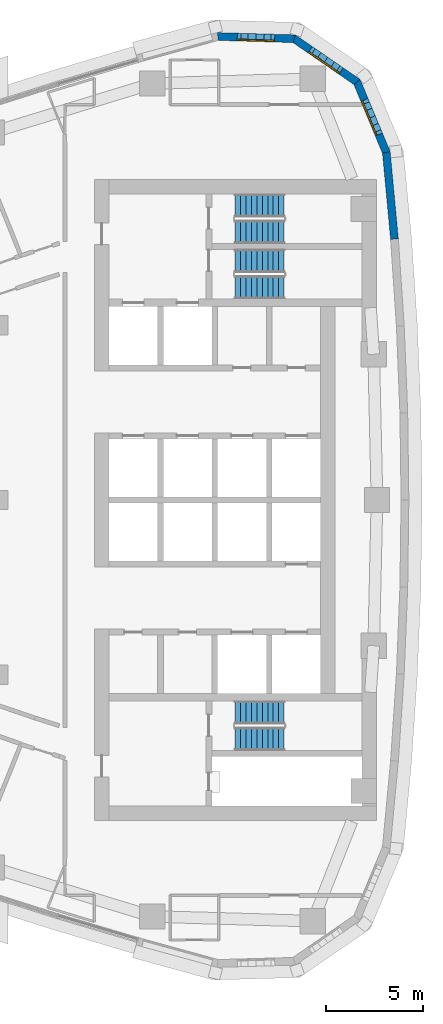
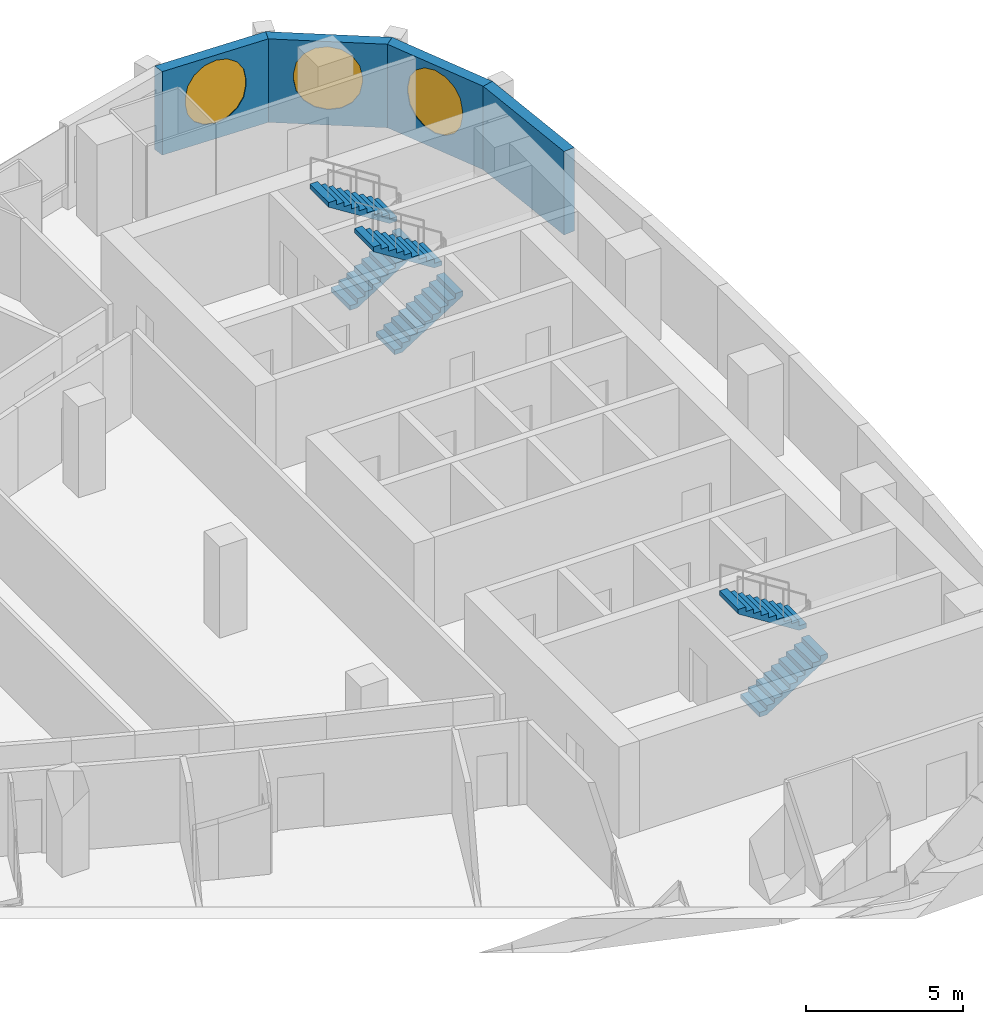
# One storey, part 13 of 17: 6 stair flights, 4 walls, 3 windows, 3 openings, 3 elements without a shape of their own.
"""IFC4 building model written with IfcOpenShell, lengths in metres."""

from ifc_helpers import new_model, si_unit, direction, frame, origin, place, context, subcontext, project, spatial, polyline, outline, extrude, material, layer, layer_set, type_object, element, fill, aggregate, save


model = new_model("IFC4")

# Units and contexts
model_context = context("Model", 3, precision=1e-05, world=origin(), true_north=direction((0.0, 1.0)))
body_context = subcontext(model_context, "Body", "Model", "MODEL_VIEW")
ifc_project = project(units=[si_unit("LENGTHUNIT", "METRE"), si_unit("AREAUNIT", "SQUARE_METRE"), si_unit("VOLUMEUNIT", "CUBIC_METRE"), si_unit("PLANEANGLEUNIT", "RADIAN"), si_unit("MASSUNIT", "GRAM", prefix="KILO")], contexts=[model_context])

# Site, building, storey
site_placement = place(None, origin())
site = spatial("IfcSite", under=ifc_project, at=site_placement, CompositionType="ELEMENT")
building_placement = place(site_placement, origin())
building = spatial("IfcBuilding", under=site, at=building_placement, Name="Ostrand Prow Hotel Tower", CompositionType="ELEMENT")
storey_placement = place(building_placement, frame((0.0, 0.0, 193.25)))
storey = spatial("IfcBuildingStorey", under=building, at=storey_placement, Name="L48", CompositionType="ELEMENT", Elevation=193.25)

# Wall
ifc_material_1 = material(Name="Precast concrete C40/50", Category="concrete")
ifc_layer = layer(ifc_material_1, 0.39990234375)
ifc_layer_set = layer_set([ifc_layer], Name="Precast concrete C40/50")
wall_type = type_object("IfcWallType", Name="Stone-faced precast wall 400 mm", PredefinedType="NOTDEFINED", material=ifc_layer_set)
wall_1_placement = place(storey_placement, frame((65.400634765625, 13.4287109375, 0.0), z_axis=(0.0, 0.0, 1.0), x_axis=(-0.093605694738, 0.995609348044, 0.0)))
element("IfcWall", 1, at=wall_1_placement, inside=storey, type_object=wall_type, Name="Stone-faced wall back 12", PredefinedType="NOTDEFINED", context=body_context, shape_type="SweptSolid", body=[
    extrude(outline(polyline([(-0.002685546875, -0.199951171875), (4.51123046875, -0.199951171875), (4.45068359375, 0.199951171875), (0.002685546875, 0.199951171875), (-0.002685546875, -0.199951171875)])), origin(), (0.0, 0.0, 1.0), 3.25),
])

# Wall, opening, window
wall_2_placement = place(storey_placement, frame((64.981201171875, 17.889892578125, 0.0), z_axis=(0.0, 0.0, 1.0), x_axis=(-0.383997619794, 0.923334082547, 0.0)))
wall_2 = element("IfcWall", 2, at=wall_2_placement, inside=storey, type_object=wall_type, Name="Stone-faced wall back 13", PredefinedType="NOTDEFINED", context=body_context, shape_type="SweptSolid", body=[
    extrude(outline(polyline([(-0.0302734375, -0.199951171875), (3.98828125, -0.199951171875), (3.8701171875, 0.199951171875), (0.0302734375, 0.199951171875), (-0.0302734375, -0.199951171875)])), origin(), (0.0, 0.0, 1.0), 3.25),
])
opening_1_placement = place(wall_2_placement, frame((0.864501953125, 0.0, 0.60009765625)))
opening_1 = element("IfcOpeningElement", 3, at=opening_1_placement, cuts=wall_2, Name="Opening WP1", PredefinedType="OPENING", context=body_context, shape_type="SweptSolid", body=[
    extrude(outline(polyline([(0.0, 1.35009765625), (0.083740234375, 1.77099609375), (0.322265625, 2.127685546875), (0.678955078125, 2.3662109375), (1.10009765625, 2.449951171875), (1.52099609375, 2.3662109375), (1.877685546875, 2.127685546875), (2.1162109375, 1.77099609375), (2.199951171875, 1.35009765625), (2.199951171875, 1.10009765625), (2.1162109375, 0.678955078125), (1.877685546875, 0.322265625), (1.52099609375, 0.083740234375), (1.10009765625, 0.0), (0.678955078125, 0.083740234375), (0.322265625, 0.322265625), (0.083740234375, 0.678955078125), (0.0, 1.099853515625), (0.0, 1.35009765625)])), frame((0.0, 0.2099609375, 0.0), z_axis=(0.0, -1.0, 0.0), x_axis=(1.0, 0.0, 0.0)), (0.0, 0.0, 1.0), 0.419921875),
])
ifc_material_2 = material(Name="Insulated glass in bronze frame", Category="glass")
window_type = type_object("IfcWindowType", Name="Round-ended prow window 2200x2450", PartitioningType="SINGLE_PANEL", PredefinedType="WINDOW", material=ifc_material_2)
window_1_placement = place(opening_1_placement, origin())
window_1 = element("IfcWindow", 4, at=window_1_placement, inside=storey, type_object=window_type, Name="Window back 13.1", OverallHeight=2.449951171875, OverallWidth=2.199951171875, PartitioningType="SINGLE_PANEL", PredefinedType="WINDOW", context=body_context, shape_type="SweptSolid", body=[
    extrude(outline(polyline([(0.0, 1.35009765625), (0.083740234375, 1.77099609375), (0.322265625, 2.127685546875), (0.678955078125, 2.3662109375), (1.10009765625, 2.449951171875), (1.52099609375, 2.3662109375), (1.877685546875, 2.127685546875), (2.1162109375, 1.77099609375), (2.199951171875, 1.35009765625), (2.199951171875, 1.10009765625), (2.1162109375, 0.678955078125), (1.877685546875, 0.322265625), (1.52099609375, 0.083740234375), (1.10009765625, 0.0), (0.678955078125, 0.083740234375), (0.322265625, 0.322265625), (0.083740234375, 0.678955078125), (0.0, 1.099853515625), (0.0, 1.35009765625)])), frame((0.0, 0.169921875, 0.0), z_axis=(0.0, -1.0, 0.0), x_axis=(1.0, 0.0, 0.0)), (0.0, 0.0, 1.0), 0.06005859375),
])
fill(opening_1, window_1)

wall_3_placement = place(storey_placement, frame((63.472412109375, 21.517822265625, 0.0), z_axis=(0.0, 0.0, 1.0), x_axis=(-0.823806162588, 0.566871596115, 0.0)))
wall_3 = element("IfcWall", 5, at=wall_3_placement, inside=storey, type_object=wall_type, Name="Stone-faced wall back 14", PredefinedType="NOTDEFINED", context=body_context, shape_type="SweptSolid", body=[
    extrude(outline(polyline([(-0.05908203125, -0.199951171875), (3.98828125, -0.199951171875), (3.8701171875, 0.199951171875), (0.05908203125, 0.199951171875), (-0.05908203125, -0.199951171875)])), origin(), (0.0, 0.0, 1.0), 3.25),
])
opening_2_placement = place(wall_3_placement, frame((0.864501953125, 0.0, 0.60009765625)))
opening_2 = element("IfcOpeningElement", 6, at=opening_2_placement, cuts=wall_3, Name="Opening WP1", PredefinedType="OPENING", context=body_context, shape_type="SweptSolid", body=[
    extrude(outline(polyline([(0.0, 1.35009765625), (0.083740234375, 1.77099609375), (0.322265625, 2.127685546875), (0.678955078125, 2.3662109375), (1.10009765625, 2.449951171875), (1.52099609375, 2.3662109375), (1.877685546875, 2.127685546875), (2.1162109375, 1.77099609375), (2.199951171875, 1.35009765625), (2.199951171875, 1.10009765625), (2.1162109375, 0.678955078125), (1.877685546875, 0.322265625), (1.52099609375, 0.083740234375), (1.10009765625, 0.0), (0.678955078125, 0.083740234375), (0.322265625, 0.322265625), (0.083740234375, 0.678955078125), (0.0, 1.099853515625), (0.0, 1.35009765625)])), frame((0.0, 0.2099609375, 0.0), z_axis=(0.0, -1.0, 0.0), x_axis=(1.0, 0.0, 0.0)), (0.0, 0.0, 1.0), 0.419921875),
])
window_2_placement = place(opening_2_placement, origin())
window_2 = element("IfcWindow", 7, at=window_2_placement, inside=storey, type_object=window_type, Name="Window back 14.1", OverallHeight=2.449951171875, OverallWidth=2.199951171875, PartitioningType="SINGLE_PANEL", PredefinedType="WINDOW", context=body_context, shape_type="SweptSolid", body=[
    extrude(outline(polyline([(0.0, 1.35009765625), (0.083740234375, 1.77099609375), (0.322265625, 2.127685546875), (0.678955078125, 2.3662109375), (1.10009765625, 2.449951171875), (1.52099609375, 2.3662109375), (1.877685546875, 2.127685546875), (2.1162109375, 1.77099609375), (2.199951171875, 1.35009765625), (2.199951171875, 1.10009765625), (2.1162109375, 0.678955078125), (1.877685546875, 0.322265625), (1.52099609375, 0.083740234375), (1.10009765625, 0.0), (0.678955078125, 0.083740234375), (0.322265625, 0.322265625), (0.083740234375, 0.678955078125), (0.0, 1.099853515625), (0.0, 1.35009765625)])), frame((0.0, 0.169921875, 0.0), z_axis=(0.0, -1.0, 0.0), x_axis=(1.0, 0.0, 0.0)), (0.0, 0.0, 1.0), 0.06005859375),
])
fill(opening_2, window_2)

wall_4_placement = place(storey_placement, frame((60.235595703125, 23.7451171875, 0.0), z_axis=(0.0, 0.0, 1.0), x_axis=(-0.999587920197, 0.028705222472, 0.0)))
wall_4 = element("IfcWall", 8, at=wall_4_placement, inside=storey, type_object=wall_type, Name="Stone-faced wall back 15", PredefinedType="NOTDEFINED", context=body_context, shape_type="SweptSolid", body=[
    extrude(outline(polyline([(-0.05908203125, -0.199951171875), (3.959228515625, -0.199951171875), (3.899658203125, 0.199951171875), (0.05908203125, 0.199951171875), (-0.05908203125, -0.199951171875)])), origin(), (0.0, 0.0, 1.0), 3.25),
])
opening_3_placement = place(wall_4_placement, frame((0.864501953125, 0.0, 0.60009765625)))
opening_3 = element("IfcOpeningElement", 9, at=opening_3_placement, cuts=wall_4, Name="Opening WP1", PredefinedType="OPENING", context=body_context, shape_type="SweptSolid", body=[
    extrude(outline(polyline([(0.0, 1.35009765625), (0.083740234375, 1.77099609375), (0.322265625, 2.127685546875), (0.678955078125, 2.3662109375), (1.10009765625, 2.449951171875), (1.52099609375, 2.3662109375), (1.877685546875, 2.127685546875), (2.1162109375, 1.77099609375), (2.199951171875, 1.35009765625), (2.199951171875, 1.10009765625), (2.1162109375, 0.678955078125), (1.877685546875, 0.322265625), (1.52099609375, 0.083740234375), (1.10009765625, 0.0), (0.678955078125, 0.083740234375), (0.322265625, 0.322265625), (0.083740234375, 0.678955078125), (0.0, 1.099853515625), (0.0, 1.35009765625)])), frame((0.0, 0.2099609375, 0.0), z_axis=(0.0, -1.0, 0.0), x_axis=(1.0, 0.0, 0.0)), (0.0, 0.0, 1.0), 0.419921875),
])
window_3_placement = place(opening_3_placement, origin())
window_3 = element("IfcWindow", 10, at=window_3_placement, inside=storey, type_object=window_type, Name="Window back 15.1", OverallHeight=2.449951171875, OverallWidth=2.199951171875, PartitioningType="SINGLE_PANEL", PredefinedType="WINDOW", context=body_context, shape_type="SweptSolid", body=[
    extrude(outline(polyline([(0.0, 1.35009765625), (0.083740234375, 1.77099609375), (0.322265625, 2.127685546875), (0.678955078125, 2.3662109375), (1.10009765625, 2.449951171875), (1.52099609375, 2.3662109375), (1.877685546875, 2.127685546875), (2.1162109375, 1.77099609375), (2.199951171875, 1.35009765625), (2.199951171875, 1.10009765625), (2.1162109375, 0.678955078125), (1.877685546875, 0.322265625), (1.52099609375, 0.083740234375), (1.10009765625, 0.0), (0.678955078125, 0.083740234375), (0.322265625, 0.322265625), (0.083740234375, 0.678955078125), (0.0, 1.099853515625), (0.0, 1.35009765625)])), frame((0.0, 0.169921875, 0.0), z_axis=(0.0, -1.0, 0.0), x_axis=(1.0, 0.0, 0.0)), (0.0, 0.0, 1.0), 0.06005859375),
])
fill(opening_3, window_3)

# Stair, stair flights
ifc_material_3 = material(Name="Concrete C40/50", Category="concrete")
stair_type = type_object("IfcStairType", Name="Exit stair 1200 upper zone", PredefinedType="HALF_TURN_STAIR", material=ifc_material_3)
stair_1_placement = place(storey_placement, origin())
stair_1 = element("IfcStair", 11, at=stair_1_placement, inside=storey, type_object=stair_type, Name="L48 ST1C", PredefinedType="HALF_TURN_STAIR")
ifc_material_4 = material(Name="Concrete C40/50", Category="concrete")
stair_flight_type = type_object("IfcStairFlightType", Name="Stair flight 1200 concrete", PredefinedType="STRAIGHT", material=ifc_material_4)
stair_flight_1_placement = place(storey_placement, frame((57.199951171875, 10.949951171875, 0.0), z_axis=(0.0, 0.0, 1.0), x_axis=(1.0, 0.0, 0.0)))
stair_flight_1 = element("IfcStairFlight", 12, at=stair_flight_1_placement, type_object=stair_flight_type, Name="ST1C flight 1", NumberOfRisers=10, NumberOfTreads=9, PredefinedType="STRAIGHT", RiserHeight=0.1775, TreadLength=0.28, context=body_context, shape_type="SweptSolid", body=[
    extrude(outline(polyline([(0.0, 0.0), (0.0, 0.177490234375), (0.280029296875, 0.177490234375), (0.280029296875, 0.35498046875), (0.56005859375, 0.35498046875), (0.56005859375, 0.532470703125), (0.840087890625, 0.532470703125), (0.840087890625, 0.7099609375), (1.1201171875, 0.7099609375), (1.1201171875, 0.887451171875), (1.39990234375, 0.887451171875), (1.39990234375, 1.06494140625), (1.679931640625, 1.06494140625), (1.679931640625, 1.242431640625), (1.9599609375, 1.242431640625), (1.9599609375, 1.419921875), (2.239990234375, 1.419921875), (2.239990234375, 1.597412109375), (2.52001953125, 1.597412109375), (2.52001953125, 1.77490234375), (2.52001953125, 1.419921875), (0.280029296875, 0.0), (0.0, 0.0)])), frame((0.0, 0.60009765625, 0.0), z_axis=(0.0, -1.0, 0.0), x_axis=(1.0, 0.0, 0.0)), (0.0, 0.0, 1.0), 1.199951171875),
])
stair_flight_2_placement = place(storey_placement, frame((59.719970703125, 12.300048828125, 1.77490234375), z_axis=(0.0, 0.0, 1.0), x_axis=(-1.0, 0.0, 0.0)))
stair_flight_2 = element("IfcStairFlight", 13, at=stair_flight_2_placement, type_object=stair_flight_type, Name="ST1C flight 2", NumberOfRisers=10, NumberOfTreads=9, PredefinedType="STRAIGHT", RiserHeight=0.1775, TreadLength=0.28, context=body_context, shape_type="SweptSolid", body=[
    extrude(outline(polyline([(0.0, 0.0), (0.0, 0.177490234375), (0.280029296875, 0.177490234375), (0.280029296875, 0.35498046875), (0.56005859375, 0.35498046875), (0.56005859375, 0.532470703125), (0.840087890625, 0.532470703125), (0.840087890625, 0.7099609375), (1.1201171875, 0.7099609375), (1.1201171875, 0.887451171875), (1.39990234375, 0.887451171875), (1.39990234375, 1.06494140625), (1.679931640625, 1.06494140625), (1.679931640625, 1.242431640625), (1.9599609375, 1.242431640625), (1.9599609375, 1.419921875), (2.239990234375, 1.419921875), (2.239990234375, 1.597412109375), (2.52001953125, 1.597412109375), (2.52001953125, 1.77490234375), (2.52001953125, 1.419921875), (0.280029296875, 0.0), (0.0, 0.0)])), frame((0.0, 0.60009765625, 0.0), z_axis=(0.0, -1.0, 0.0), x_axis=(1.0, 0.0, 0.0)), (0.0, 0.0, 1.0), 1.199951171875),
])
aggregate(stair_1, [stair_flight_1, stair_flight_2])

stair_2_placement = place(storey_placement, origin())
stair_2 = element("IfcStair", 14, at=stair_2_placement, inside=storey, type_object=stair_type, Name="L48 ST3C", PredefinedType="HALF_TURN_STAIR")
stair_flight_3_placement = place(storey_placement, frame((57.199951171875, 13.800048828125, 0.0), z_axis=(0.0, 0.0, 1.0), x_axis=(1.0, 0.0, 0.0)))
stair_flight_3 = element("IfcStairFlight", 15, at=stair_flight_3_placement, type_object=stair_flight_type, Name="ST3C flight 1", NumberOfRisers=10, NumberOfTreads=9, PredefinedType="STRAIGHT", RiserHeight=0.1775, TreadLength=0.28, context=body_context, shape_type="SweptSolid", body=[
    extrude(outline(polyline([(0.0, 0.0), (0.0, 0.177490234375), (0.280029296875, 0.177490234375), (0.280029296875, 0.35498046875), (0.56005859375, 0.35498046875), (0.56005859375, 0.532470703125), (0.840087890625, 0.532470703125), (0.840087890625, 0.7099609375), (1.1201171875, 0.7099609375), (1.1201171875, 0.887451171875), (1.39990234375, 0.887451171875), (1.39990234375, 1.06494140625), (1.679931640625, 1.06494140625), (1.679931640625, 1.242431640625), (1.9599609375, 1.242431640625), (1.9599609375, 1.419921875), (2.239990234375, 1.419921875), (2.239990234375, 1.597412109375), (2.52001953125, 1.597412109375), (2.52001953125, 1.77490234375), (2.52001953125, 1.419921875), (0.280029296875, 0.0), (0.0, 0.0)])), frame((0.0, 0.60009765625, 0.0), z_axis=(0.0, -1.0, 0.0), x_axis=(1.0, 0.0, 0.0)), (0.0, 0.0, 1.0), 1.199951171875),
])
stair_flight_4_placement = place(storey_placement, frame((59.719970703125, 15.14990234375, 1.77490234375), z_axis=(0.0, 0.0, 1.0), x_axis=(-1.0, 0.0, 0.0)))
stair_flight_4 = element("IfcStairFlight", 16, at=stair_flight_4_placement, type_object=stair_flight_type, Name="ST3C flight 2", NumberOfRisers=10, NumberOfTreads=9, PredefinedType="STRAIGHT", RiserHeight=0.1775, TreadLength=0.28, context=body_context, shape_type="SweptSolid", body=[
    extrude(outline(polyline([(0.0, 0.0), (0.0, 0.177490234375), (0.280029296875, 0.177490234375), (0.280029296875, 0.35498046875), (0.56005859375, 0.35498046875), (0.56005859375, 0.532470703125), (0.840087890625, 0.532470703125), (0.840087890625, 0.7099609375), (1.1201171875, 0.7099609375), (1.1201171875, 0.887451171875), (1.39990234375, 0.887451171875), (1.39990234375, 1.06494140625), (1.679931640625, 1.06494140625), (1.679931640625, 1.242431640625), (1.9599609375, 1.242431640625), (1.9599609375, 1.419921875), (2.239990234375, 1.419921875), (2.239990234375, 1.597412109375), (2.52001953125, 1.597412109375), (2.52001953125, 1.77490234375), (2.52001953125, 1.419921875), (0.280029296875, 0.0), (0.0, 0.0)])), frame((0.0, 0.60009765625, 0.0), z_axis=(0.0, -1.0, 0.0), x_axis=(1.0, 0.0, 0.0)), (0.0, 0.0, 1.0), 1.199951171875),
])
aggregate(stair_2, [stair_flight_3, stair_flight_4])

stair_3_placement = place(storey_placement, origin())
stair_3 = element("IfcStair", 17, at=stair_3_placement, inside=storey, type_object=stair_type, Name="L48 ST2C", PredefinedType="HALF_TURN_STAIR")
stair_flight_5_placement = place(storey_placement, frame((57.199951171875, -12.300048828125, 0.0), z_axis=(0.0, 0.0, 1.0), x_axis=(1.0, 0.0, 0.0)))
stair_flight_5 = element("IfcStairFlight", 18, at=stair_flight_5_placement, type_object=stair_flight_type, Name="ST2C flight 1", NumberOfRisers=10, NumberOfTreads=9, PredefinedType="STRAIGHT", RiserHeight=0.1775, TreadLength=0.28, context=body_context, shape_type="SweptSolid", body=[
    extrude(outline(polyline([(0.0, 0.0), (0.0, 0.177490234375), (0.280029296875, 0.177490234375), (0.280029296875, 0.35498046875), (0.56005859375, 0.35498046875), (0.56005859375, 0.532470703125), (0.840087890625, 0.532470703125), (0.840087890625, 0.7099609375), (1.1201171875, 0.7099609375), (1.1201171875, 0.887451171875), (1.39990234375, 0.887451171875), (1.39990234375, 1.06494140625), (1.679931640625, 1.06494140625), (1.679931640625, 1.242431640625), (1.9599609375, 1.242431640625), (1.9599609375, 1.419921875), (2.239990234375, 1.419921875), (2.239990234375, 1.597412109375), (2.52001953125, 1.597412109375), (2.52001953125, 1.77490234375), (2.52001953125, 1.419921875), (0.280029296875, 0.0), (0.0, 0.0)])), frame((0.0, 0.60009765625, 0.0), z_axis=(0.0, -1.0, 0.0), x_axis=(1.0, 0.0, 0.0)), (0.0, 0.0, 1.0), 1.199951171875),
])
stair_flight_6_placement = place(storey_placement, frame((59.719970703125, -10.949951171875, 1.77490234375), z_axis=(0.0, 0.0, 1.0), x_axis=(-1.0, 0.0, 0.0)))
stair_flight_6 = element("IfcStairFlight", 19, at=stair_flight_6_placement, type_object=stair_flight_type, Name="ST2C flight 2", NumberOfRisers=10, NumberOfTreads=9, PredefinedType="STRAIGHT", RiserHeight=0.1775, TreadLength=0.28, context=body_context, shape_type="SweptSolid", body=[
    extrude(outline(polyline([(0.0, 0.0), (0.0, 0.177490234375), (0.280029296875, 0.177490234375), (0.280029296875, 0.35498046875), (0.56005859375, 0.35498046875), (0.56005859375, 0.532470703125), (0.840087890625, 0.532470703125), (0.840087890625, 0.7099609375), (1.1201171875, 0.7099609375), (1.1201171875, 0.887451171875), (1.39990234375, 0.887451171875), (1.39990234375, 1.06494140625), (1.679931640625, 1.06494140625), (1.679931640625, 1.242431640625), (1.9599609375, 1.242431640625), (1.9599609375, 1.419921875), (2.239990234375, 1.419921875), (2.239990234375, 1.597412109375), (2.52001953125, 1.597412109375), (2.52001953125, 1.77490234375), (2.52001953125, 1.419921875), (0.280029296875, 0.0), (0.0, 0.0)])), frame((0.0, 0.60009765625, 0.0), z_axis=(0.0, -1.0, 0.0), x_axis=(1.0, 0.0, 0.0)), (0.0, 0.0, 1.0), 1.199951171875),
])
aggregate(stair_3, [stair_flight_5, stair_flight_6])

save(model, "model.ifc")
